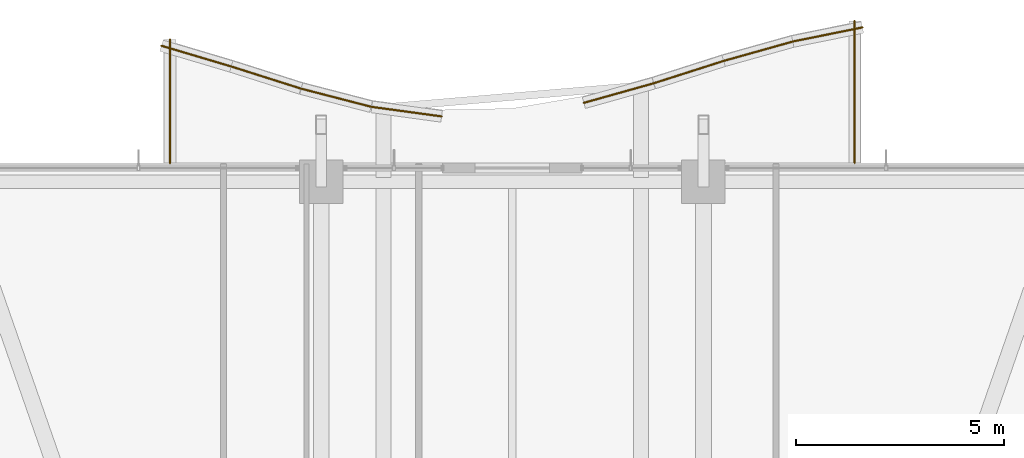
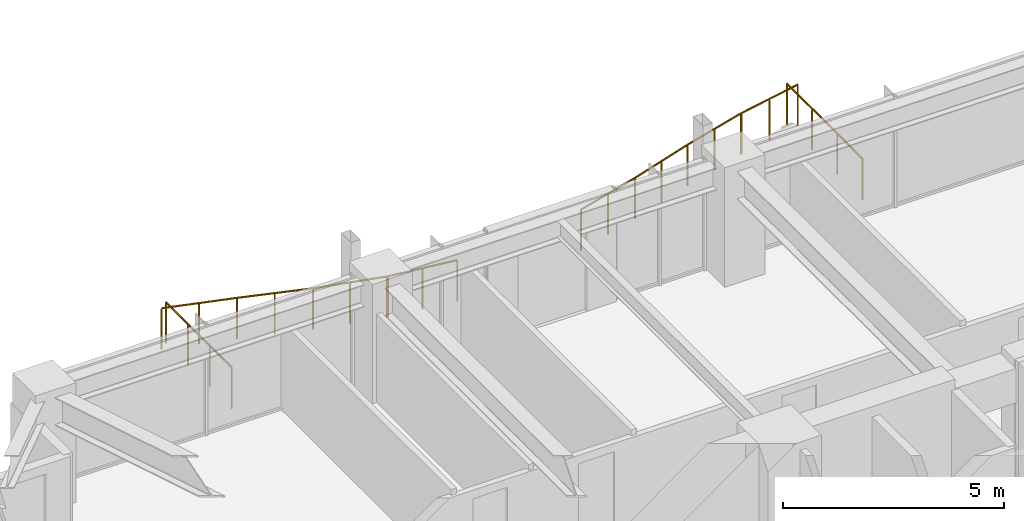
# One storey, part 38 of 38: 10 railings.
"""IFC4 building model written with IfcOpenShell, lengths in metres."""

from ifc_helpers import new_model, si_unit, direction, frame, origin, origin_2d, place, context, subcontext, project, spatial, circle, extrude, material, type_object, element, save


model = new_model("IFC4")

# Units and contexts
model_context = context("Model", 3, precision=1e-05, world=origin(), true_north=direction((0.0, 1.0)))
body_context = subcontext(model_context, "Body", "Model", "MODEL_VIEW")
ifc_project = project(units=[si_unit("LENGTHUNIT", "METRE"), si_unit("AREAUNIT", "SQUARE_METRE"), si_unit("VOLUMEUNIT", "CUBIC_METRE"), si_unit("PLANEANGLEUNIT", "RADIAN"), si_unit("MASSUNIT", "GRAM", prefix="KILO")], contexts=[model_context])

# Site, building, storey
site_placement = place(None, origin())
site = spatial("IfcSite", under=ifc_project, at=site_placement, CompositionType="ELEMENT")
building_placement = place(site_placement, origin())
building = spatial("IfcBuilding", under=site, at=building_placement, Name="Kolvaren Belvedere", CompositionType="ELEMENT")
storey_placement = place(building_placement, frame((0.0, 0.0, 78.800048828125)))
storey = spatial("IfcBuildingStorey", under=building, at=storey_placement, Name="L22", CompositionType="ELEMENT", Elevation=78.800048828125)

# Railings
ifc_material = material(Name="Anodised pale-metal aluminium & laminated glass guard", Category="aluminium")
railing_type = type_object("IfcRailingType", Name="RL-GUARD-1150", PredefinedType="GUARDRAIL", material=ifc_material)
railing_1_placement = place(storey_placement, frame((8.239990234375, 20.39990234375, 0.3798828125)))
element("IfcRailing", 1, at=railing_1_placement, inside=storey, type_object=railing_type, Name="L22 Exterior Deck Safety Guard BAL-N-11", PredefinedType="GUARDRAIL", context=body_context, shape_type="SweptSolid", body=[
    extrude(circle(Radius=0.02392578125, at=origin_2d()), frame((0.0, 0.0, 1.1259765625), z_axis=(0.0, 1.0, 0.0), x_axis=(-1.0, 0.0, 0.0)), (0.0, 0.0, 1.0), 3.420166015625),
    extrude(circle(Radius=0.02099609375, at=origin_2d()), origin(), (0.0, 0.0, 1.0), 1.101806640625),
    extrude(circle(Radius=0.02099609375, at=origin_2d()), frame((0.0, 1.14013671875, 0.0)), (0.0, 0.0, 1.0), 1.101806640625),
    extrude(circle(Radius=0.02099609375, at=origin_2d()), frame((0.0, 2.280029296875, 0.0)), (0.0, 0.0, 1.0), 1.101806640625),
    extrude(circle(Radius=0.02099609375, at=origin_2d()), frame((0.0, 3.420166015625, 0.0)), (0.0, 0.0, 1.0), 1.101806640625),
])
railing_2_placement = place(storey_placement, frame((8.431884765625, 23.6630859375, 0.3798828125)))
element("IfcRailing", 2, at=railing_2_placement, inside=storey, type_object=railing_type, Name="L22 Exterior Deck Safety Guard BAL-N-12", PredefinedType="GUARDRAIL", context=body_context, shape_type="SweptSolid", body=[
    extrude(circle(Radius=0.02392578125, at=origin_2d()), frame((0.0, 0.0, 1.1259765625), z_axis=(-0.980067977123, -0.198662427795, 0.0), x_axis=(0.198662427795, -0.980067977123, 0.0)), (0.0, 0.0, 1.0), 1.71435546875),
    extrude(circle(Radius=0.02099609375, at=origin_2d()), origin(), (0.0, 0.0, 1.0), 1.101806640625),
    extrude(circle(Radius=0.02099609375, at=origin_2d()), frame((-0.840087890625, -0.17041015625, 0.0)), (0.0, 0.0, 1.0), 1.101806640625),
    extrude(circle(Radius=0.02099609375, at=origin_2d()), frame((-1.68017578125, -0.340576171875, 0.0)), (0.0, 0.0, 1.0), 1.101806640625),
])
railing_3_placement = place(storey_placement, frame((6.76318359375, 23.3251953125, 0.3798828125)))
element("IfcRailing", 3, at=railing_3_placement, inside=storey, type_object=railing_type, Name="L22 Exterior Deck Safety Guard BAL-N-13", PredefinedType="GUARDRAIL", context=body_context, shape_type="SweptSolid", body=[
    extrude(circle(Radius=0.02392578125, at=origin_2d()), frame((0.0, 0.0, 1.1259765625), z_axis=(-0.962916043401, -0.269801210823, 0.0), x_axis=(0.269801210823, -0.962916043401, 0.0)), (0.0, 0.0, 1.0), 1.74462890625),
    extrude(circle(Radius=0.02099609375, at=origin_2d()), origin(), (0.0, 0.0, 1.0), 1.101806640625),
    extrude(circle(Radius=0.02099609375, at=origin_2d()), frame((-0.83984375, -0.2353515625, 0.0)), (0.0, 0.0, 1.0), 1.101806640625),
    extrude(circle(Radius=0.02099609375, at=origin_2d()), frame((-1.679931640625, -0.470703125, 0.0)), (0.0, 0.0, 1.0), 1.101806640625),
])
railing_4_placement = place(storey_placement, frame((5.088623046875, 22.856201171875, 0.3798828125)))
element("IfcRailing", 4, at=railing_4_placement, inside=storey, type_object=railing_type, Name="L22 Exterior Deck Safety Guard BAL-N-14", PredefinedType="GUARDRAIL", context=body_context, shape_type="SweptSolid", body=[
    extrude(circle(Radius=0.02392578125, at=origin_2d()), frame((0.0, 0.0, 1.1259765625), z_axis=(-0.952501264923, -0.304534629099, 0.0), x_axis=(0.304534629099, -0.952501264923, 0.0)), (0.0, 0.0, 1.0), 1.763671875),
    extrude(circle(Radius=0.02099609375, at=origin_2d()), origin(), (0.0, 0.0, 1.0), 1.101806640625),
    extrude(circle(Radius=0.02099609375, at=origin_2d()), frame((-0.83984375, -0.2685546875, 0.0)), (0.0, 0.0, 1.0), 1.101806640625),
    extrude(circle(Radius=0.02099609375, at=origin_2d()), frame((-1.679931640625, -0.537109375, 0.0)), (0.0, 0.0, 1.0), 1.101806640625),
])
railing_5_placement = place(storey_placement, frame((3.4033203125, 22.3173828125, 0.3798828125)))
element("IfcRailing", 5, at=railing_5_placement, inside=storey, type_object=railing_type, Name="L22 Exterior Deck Safety Guard BAL-N-15", PredefinedType="GUARDRAIL", context=body_context, shape_type="SweptSolid", body=[
    extrude(circle(Radius=0.02392578125, at=origin_2d()), frame((0.0, 0.0, 1.1259765625), z_axis=(-0.962926227834, -0.269764860108, 0.0), x_axis=(0.269764860108, -0.962926227834, 0.0)), (0.0, 0.0, 1.0), 1.744873046875),
    extrude(circle(Radius=0.02099609375, at=origin_2d()), origin(), (0.0, 0.0, 1.0), 1.101806640625),
    extrude(circle(Radius=0.02099609375, at=origin_2d()), frame((-0.840087890625, -0.2353515625, 0.0)), (0.0, 0.0, 1.0), 1.101806640625),
    extrude(circle(Radius=0.02099609375, at=origin_2d()), frame((-1.68017578125, -0.470703125, 0.0)), (0.0, 0.0, 1.0), 1.101806640625),
])
railing_6_placement = place(storey_placement, frame((-1.70166015625, 21.5205078125, 0.3798828125)))
element("IfcRailing", 6, at=railing_6_placement, inside=storey, type_object=railing_type, Name="L22 Exterior Deck Safety Guard BAL-N-18", PredefinedType="GUARDRAIL", context=body_context, shape_type="SweptSolid", body=[
    extrude(circle(Radius=0.02392578125, at=origin_2d()), frame((0.0, 0.0, 1.1259765625), z_axis=(-0.990855562068, 0.134926850989, 0.0), x_axis=(-0.134926850989, -0.990855562068, 0.0)), (0.0, 0.0, 1.0), 1.695556640625),
    extrude(circle(Radius=0.02099609375, at=origin_2d()), origin(), (0.0, 0.0, 1.0), 1.101806640625),
    extrude(circle(Radius=0.02099609375, at=origin_2d()), frame((-0.83984375, 0.1142578125, 0.0)), (0.0, 0.0, 1.0), 1.101806640625),
    extrude(circle(Radius=0.02099609375, at=origin_2d()), frame((-1.679931640625, 0.228759765625, 0.0)), (0.0, 0.0, 1.0), 1.101806640625),
])
railing_7_placement = place(storey_placement, frame((-3.400146484375, 21.7529296875, 0.3798828125)))
element("IfcRailing", 7, at=railing_7_placement, inside=storey, type_object=railing_type, Name="L22 Exterior Deck Safety Guard BAL-N-19", PredefinedType="GUARDRAIL", context=body_context, shape_type="SweptSolid", body=[
    extrude(circle(Radius=0.02392578125, at=origin_2d()), frame((0.0, 0.0, 1.1259765625), z_axis=(-0.968132209145, 0.250439664624, 0.0), x_axis=(-0.250439664624, -0.968132209145, 0.0)), (0.0, 0.0, 1.0), 1.7353515625),
    extrude(circle(Radius=0.02099609375, at=origin_2d()), origin(), (0.0, 0.0, 1.0), 1.101806640625),
    extrude(circle(Radius=0.02099609375, at=origin_2d()), frame((-0.83984375, 0.21728515625, 0.0)), (0.0, 0.0, 1.0), 1.101806640625),
    extrude(circle(Radius=0.02099609375, at=origin_2d()), frame((-1.679931640625, 0.4345703125, 0.0)), (0.0, 0.0, 1.0), 1.101806640625),
])
railing_8_placement = place(storey_placement, frame((-5.08837890625, 22.18994140625, 0.3798828125)))
element("IfcRailing", 8, at=railing_8_placement, inside=storey, type_object=railing_type, Name="L22 Exterior Deck Safety Guard BAL-N-20", PredefinedType="GUARDRAIL", context=body_context, shape_type="SweptSolid", body=[
    extrude(circle(Radius=0.02392578125, at=origin_2d()), frame((0.0, 0.0, 1.1259765625), z_axis=(-0.953181954832, 0.302397356111, 0.0), x_axis=(-0.302397356111, -0.953181954832, 0.0)), (0.0, 0.0, 1.0), 1.762451171875),
    extrude(circle(Radius=0.02099609375, at=origin_2d()), origin(), (0.0, 0.0, 1.0), 1.101806640625),
    extrude(circle(Radius=0.02099609375, at=origin_2d()), frame((-0.83984375, 0.2666015625, 0.0)), (0.0, 0.0, 1.0), 1.101806640625),
    extrude(circle(Radius=0.02099609375, at=origin_2d()), frame((-1.679931640625, 0.532958984375, 0.0)), (0.0, 0.0, 1.0), 1.101806640625),
])
railing_9_placement = place(storey_placement, frame((-6.765625, 22.721923828125, 0.3798828125)))
element("IfcRailing", 9, at=railing_9_placement, inside=storey, type_object=railing_type, Name="L22 Exterior Deck Safety Guard BAL-N-21", PredefinedType="GUARDRAIL", context=body_context, shape_type="SweptSolid", body=[
    extrude(circle(Radius=0.02392578125, at=origin_2d()), frame((0.0, 0.0, 1.1259765625), z_axis=(-0.958525043221, 0.28500831833, 0.0), x_axis=(-0.28500831833, -0.958525043221, 0.0)), (0.0, 0.0, 1.0), 1.752685546875),
    extrude(circle(Radius=0.02099609375, at=origin_2d()), origin(), (0.0, 0.0, 1.0), 1.101806640625),
    extrude(circle(Radius=0.02099609375, at=origin_2d()), frame((-0.83984375, 0.249755859375, 0.0)), (0.0, 0.0, 1.0), 1.101806640625),
    extrude(circle(Radius=0.02099609375, at=origin_2d()), frame((-1.679931640625, 0.49951171875, 0.0)), (0.0, 0.0, 1.0), 1.101806640625),
])
railing_10_placement = place(storey_placement, frame((-8.239990234375, 23.374755859375, 0.3798828125)))
element("IfcRailing", 10, at=railing_10_placement, inside=storey, type_object=railing_type, Name="L22 Exterior Deck Safety Guard BAL-N-22", PredefinedType="GUARDRAIL", context=body_context, shape_type="SweptSolid", body=[
    extrude(circle(Radius=0.02392578125, at=origin_2d()), frame((0.0, 0.0, 1.1259765625), z_axis=(0.0, -1.0, 0.0), x_axis=(1.0, 0.0, 0.0)), (0.0, 0.0, 1.0), 2.974853515625),
    extrude(circle(Radius=0.02099609375, at=origin_2d()), origin(), (0.0, 0.0, 1.0), 1.101806640625),
    extrude(circle(Radius=0.02099609375, at=origin_2d()), frame((0.0, -0.99169921875, 0.0)), (0.0, 0.0, 1.0), 1.101806640625),
    extrude(circle(Radius=0.02099609375, at=origin_2d()), frame((0.0, -1.983154296875, 0.0)), (0.0, 0.0, 1.0), 1.101806640625),
    extrude(circle(Radius=0.02099609375, at=origin_2d()), frame((0.0, -2.974853515625, 0.0)), (0.0, 0.0, 1.0), 1.101806640625),
])

save(model, "model.ifc")
